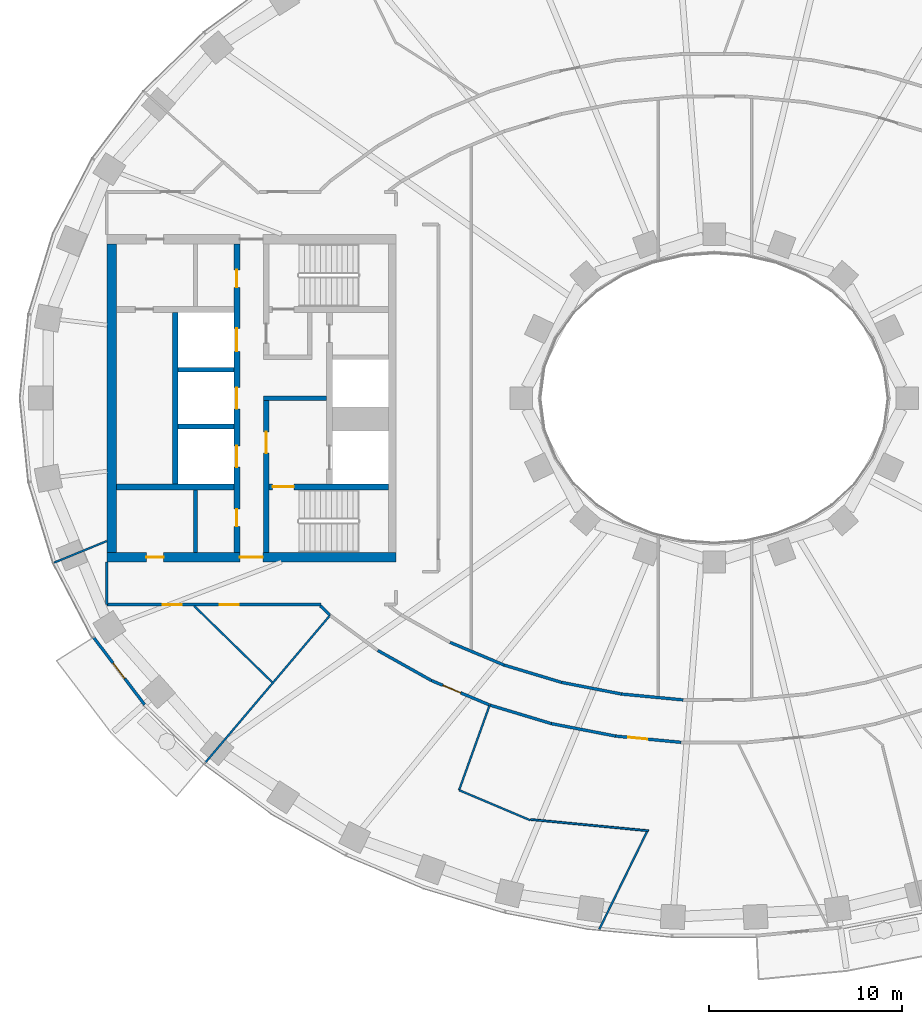
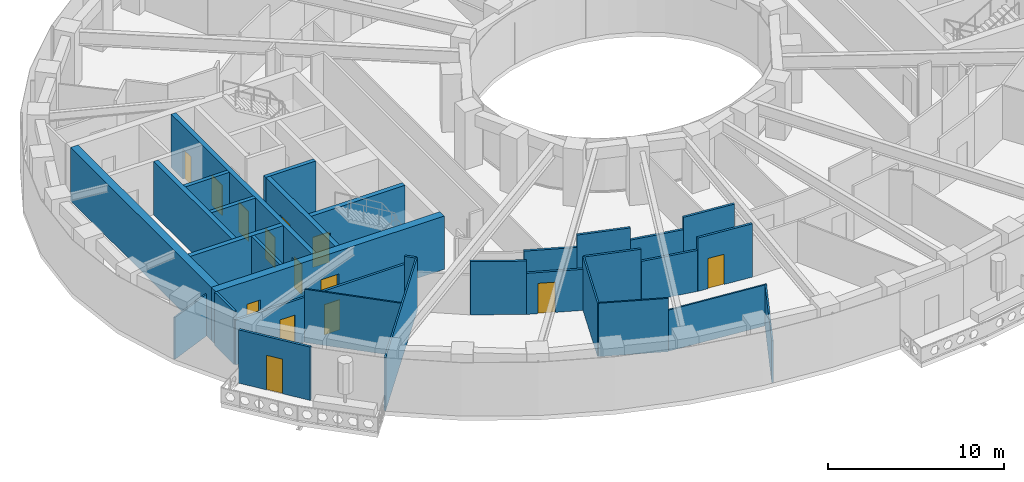
# One storey, part 3 of 17: 31 walls, 14 doors, 14 openings.
"""IFC4 building model written with IfcOpenShell, lengths in metres."""

from ifc_helpers import new_model, si_unit, direction, frame, frame_2d, origin, place, context, subcontext, project, spatial, rectangle, extrude, material, layer, layer_set, type_object, element, fill, save


model = new_model("IFC4")

# Units and contexts
model_context = context("Model", 3, precision=1e-05, world=origin(), true_north=direction((0.0, 1.0)))
body_context = subcontext(model_context, "Body", "Model", "MODEL_VIEW")
ifc_project = project(units=[si_unit("LENGTHUNIT", "METRE"), si_unit("AREAUNIT", "SQUARE_METRE"), si_unit("VOLUMEUNIT", "CUBIC_METRE"), si_unit("PLANEANGLEUNIT", "RADIAN"), si_unit("MASSUNIT", "GRAM", prefix="KILO")], contexts=[model_context])

# Site, building, storey
site_placement = place(None, origin())
site = spatial("IfcSite", under=ifc_project, at=site_placement, CompositionType="ELEMENT")
building_placement = place(site_placement, origin())
building = spatial("IfcBuilding", under=site, at=building_placement, Name="Noorbagh Ring Tower", CompositionType="ELEMENT")
storey_placement = place(building_placement, frame((0.0, 0.0, 120.0)))
storey = spatial("IfcBuildingStorey", under=building, at=storey_placement, Name="L27", CompositionType="ELEMENT", Elevation=120.0)

# Walls
ifc_material_1 = material(Name="Gypsum board on steel studs", Category="steel")
ifc_layer_1 = layer(ifc_material_1, 0.199951171875)
ifc_layer_set_1 = layer_set([ifc_layer_1], Name="Gypsum board on steel studs")
wall_type_1 = type_object("IfcWallType", Name="CORE-PARTITION-200", PredefinedType="PARTITIONING", material=ifc_layer_set_1)
wall_1_placement = place(storey_placement, frame((-26.89990234375, -8.0, 0.0), z_axis=(0.0, 0.0, 1.0), x_axis=(0.0, 1.0, 0.0)))
element("IfcWall", 1, at=wall_1_placement, inside=storey, type_object=wall_type_1, Name="Core partition W", PredefinedType="PARTITIONING", context=body_context, shape_type="SweptSolid", body=[
    extrude(rectangle(XDim=3.25, YDim=0.199951171875, at=frame_2d((1.625, 0.0))), origin(), (0.0, 0.0, 1.0), 3.699951171875),
])
ifc_material_2 = material(Name="Concrete C70/85", Category="concrete")
ifc_layer_2 = layer(ifc_material_2, 0.25)
ifc_layer_set_2 = layer_set([ifc_layer_2], Name="Concrete C70/85")
wall_type_2 = type_object("IfcWallType", Name="CORE-WALL-250-C70-85-EI120", PredefinedType="SHEAR", material=ifc_layer_set_2)
for number, where, z_axis, x_axis, name in (
    (2, (-24.89990234375, -1.47509765625, 0.0), (0.0, 0.0, 1.0), (-1.0, 0.0, 0.0), "Core wall W"),
    (3, (-24.89990234375, 1.47509765625, 0.0), (0.0, 0.0, 1.0), (-1.0, 0.0, 0.0), "Core wall W"),
):
    element("IfcWall", number, at=place(storey_placement, frame(where, z_axis=z_axis, x_axis=x_axis)), inside=storey, type_object=wall_type_2, Name=name, PredefinedType="SHEAR", context=body_context, shape_type="SweptSolid", body=[
        extrude(rectangle(XDim=2.900146484375, YDim=0.25, at=frame_2d((1.4501953125, 0.0))), origin(), (0.0, 0.0, 1.0), 3.699951171875),
    ])
ifc_material_3 = material(Name="Concrete C70/85", Category="concrete")
ifc_layer_3 = layer(ifc_material_3, 0.25)
ifc_layer_set_3 = layer_set([ifc_layer_3], Name="Concrete C70/85")
wall_type_3 = type_object("IfcWallType", Name="CORE-WALL-250-C70-85-EI240", PredefinedType="SHEAR", material=ifc_layer_set_3)
wall_2_placement = place(storey_placement, frame((-20.10009765625, 0.0, 0.0), z_axis=(0.0, 0.0, 1.0), x_axis=(-1.0, 0.0, 0.0)))
element("IfcWall", 4, at=wall_2_placement, inside=storey, type_object=wall_type_3, Name="Core wall W", PredefinedType="SHEAR", context=body_context, shape_type="SweptSolid", body=[
    extrude(rectangle(XDim=3.27978515625, YDim=0.25, at=frame_2d((1.639892578125, 0.0))), origin(), (0.0, 0.0, 1.0), 3.699951171875),
])
ifc_material_4 = material(Name="Concrete C70/85", Category="concrete")
ifc_layer_4 = layer(ifc_material_4, 0.300048828125)
ifc_layer_set_4 = layer_set([ifc_layer_4], Name="Concrete C70/85")
wall_type_4 = type_object("IfcWallType", Name="CORE-WALL-300-C70-85-EI120", PredefinedType="SHEAR", material=ifc_layer_set_4)
wall_3_placement = place(storey_placement, frame((-27.949951171875, -4.449951171875, 0.0), z_axis=(0.0, 0.0, 1.0), x_axis=(0.0, 1.0, 0.0)))
element("IfcWall", 5, at=wall_3_placement, inside=storey, type_object=wall_type_4, Name="Core wall W", PredefinedType="SHEAR", context=body_context, shape_type="SweptSolid", body=[
    extrude(rectangle(XDim=8.89990234375, YDim=0.300048828125, at=frame_2d((4.449951171875, 0.0))), origin(), (0.0, 0.0, 1.0), 3.699951171875),
])

# Wall, openings, doors
wall_4_placement = place(storey_placement, frame((-24.75, -8.0, 0.0), z_axis=(0.0, 0.0, 1.0), x_axis=(0.0, 1.0, 0.0)))
wall_4 = element("IfcWall", 6, at=wall_4_placement, inside=storey, type_object=wall_type_4, Name="Core wall W", PredefinedType="SHEAR", context=body_context, shape_type="SweptSolid", body=[
    extrude(rectangle(XDim=16.0, YDim=0.300048828125, at=frame_2d((8.0, 0.0))), origin(), (0.0, 0.0, 1.0), 3.699951171875),
])
opening_1_placement = place(wall_4_placement, frame((4.425048828125, 0.0, 0.0)))
opening_1 = element("IfcOpeningElement", 7, at=opening_1_placement, cuts=wall_4, Name="Opening L27-CW02", PredefinedType="OPENING", context=body_context, shape_type="SweptSolid", body=[
    extrude(rectangle(XDim=1.10009765625, YDim=2.10009765625, at=frame_2d((0.550048828125, 1.050048828125))), frame((0.0, 0.16015625, 0.0), z_axis=(0.0, -1.0, 0.0), x_axis=(1.0, 0.0, 0.0)), (0.0, 0.0, 1.0), 0.320068359375),
])
opening_2_placement = place(wall_4_placement, frame((7.449951171875, 0.0, 0.0)))
opening_2 = element("IfcOpeningElement", 8, at=opening_2_placement, cuts=wall_4, Name="Opening L27-CW03", PredefinedType="OPENING", context=body_context, shape_type="SweptSolid", body=[
    extrude(rectangle(XDim=1.10009765625, YDim=2.10009765625, at=frame_2d((0.550048828125, 1.050048828125))), frame((0.0, 0.16015625, 0.0), z_axis=(0.0, -1.0, 0.0), x_axis=(1.0, 0.0, 0.0)), (0.0, 0.0, 1.0), 0.320068359375),
])
opening_3_placement = place(wall_4_placement, frame((10.425048828125, 0.0, 0.0)))
opening_3 = element("IfcOpeningElement", 9, at=opening_3_placement, cuts=wall_4, Name="Opening L27-CW04", PredefinedType="OPENING", context=body_context, shape_type="SweptSolid", body=[
    extrude(rectangle(XDim=1.199951171875, YDim=2.10009765625, at=frame_2d((0.60009765625, 1.050048828125))), frame((0.0, 0.16015625, 0.0), z_axis=(0.0, -1.0, 0.0), x_axis=(1.0, 0.0, 0.0)), (0.0, 0.0, 1.0), 0.320068359375),
])
opening_4_placement = place(wall_4_placement, frame((13.75, 0.0, 0.0)))
opening_4 = element("IfcOpeningElement", 10, at=opening_4_placement, cuts=wall_4, Name="Opening L27-CW12", PredefinedType="OPENING", context=body_context, shape_type="SweptSolid", body=[
    extrude(rectangle(XDim=0.89990234375, YDim=2.10009765625, at=frame_2d((0.449951171875, 1.050048828125))), frame((0.0, 0.16015625, 0.0), z_axis=(0.0, -1.0, 0.0), x_axis=(1.0, 0.0, 0.0)), (0.0, 0.0, 1.0), 0.320068359375),
])
opening_5_placement = place(wall_4_placement, frame((1.35009765625, 0.0, 0.0)))
opening_5 = element("IfcOpeningElement", 11, at=opening_5_placement, cuts=wall_4, Name="Opening L27-CW14", PredefinedType="OPENING", context=body_context, shape_type="SweptSolid", body=[
    extrude(rectangle(XDim=0.89990234375, YDim=2.10009765625, at=frame_2d((0.449951171875, 1.050048828125))), frame((0.0, 0.16015625, 0.0), z_axis=(0.0, -1.0, 0.0), x_axis=(1.0, 0.0, 0.0)), (0.0, 0.0, 1.0), 0.320068359375),
])
ifc_material_5 = material(Name="Steel door leaf", Category="steel")
door_type_1 = type_object("IfcDoorType", Name="CORE-DOOR-DROOM", OperationType="SINGLE_SWING_LEFT", PredefinedType="DOOR", material=ifc_material_5)
door_1_placement = place(opening_4_placement, origin())
door_1 = element("IfcDoor", 12, at=door_1_placement, inside=storey, type_object=door_type_1, Name="Core room door L27-CW12", OperationType="SINGLE_SWING_RIGHT", OverallHeight=2.10009765625, OverallWidth=0.89990234375, PredefinedType="DOOR", context=body_context, shape_type="SweptSolid", body=[
    extrude(rectangle(XDim=0.89990234375, YDim=2.10009765625, at=frame_2d((0.449951171875, 1.050048828125))), frame((0.0, 0.02490234375, 0.0), z_axis=(0.0, -1.0, 0.0), x_axis=(1.0, 0.0, 0.0)), (0.0, 0.0, 1.0), 0.050048828125),
])
fill(opening_4, door_1)
door_2_placement = place(opening_5_placement, origin())
door_2 = element("IfcDoor", 13, at=door_2_placement, inside=storey, type_object=door_type_1, Name="Core room door L27-CW14", OperationType="SINGLE_SWING_LEFT", OverallHeight=2.10009765625, OverallWidth=0.89990234375, PredefinedType="DOOR", context=body_context, shape_type="SweptSolid", body=[
    extrude(rectangle(XDim=0.89990234375, YDim=2.10009765625, at=frame_2d((0.449951171875, 1.050048828125))), frame((0.0, 0.02490234375, 0.0), z_axis=(0.0, -1.0, 0.0), x_axis=(1.0, 0.0, 0.0)), (0.0, 0.0, 1.0), 0.050048828125),
])
fill(opening_5, door_2)
ifc_material_6 = material(Name="Steel door leaf", Category="steel")
door_type_2 = type_object("IfcDoorType", Name="CORE-DOOR-LD", OperationType="DOUBLE_DOOR_SLIDING", PredefinedType="DOOR", material=ifc_material_6)
door_3_placement = place(opening_1_placement, origin())
door_3 = element("IfcDoor", 14, at=door_3_placement, inside=storey, type_object=door_type_2, Name="Landing door LR1 L27-CW02", OperationType="DOUBLE_DOOR_SLIDING", OverallHeight=2.10009765625, OverallWidth=1.10009765625, PredefinedType="DOOR", context=body_context, shape_type="SweptSolid", body=[
    extrude(rectangle(XDim=1.10009765625, YDim=2.10009765625, at=frame_2d((0.550048828125, 1.050048828125))), frame((0.0, 0.02490234375, 0.0), z_axis=(0.0, -1.0, 0.0), x_axis=(1.0, 0.0, 0.0)), (0.0, 0.0, 1.0), 0.050048828125),
])
fill(opening_1, door_3)
door_4_placement = place(opening_2_placement, origin())
door_4 = element("IfcDoor", 15, at=door_4_placement, inside=storey, type_object=door_type_2, Name="Landing door LR2 L27-CW03", OperationType="DOUBLE_DOOR_SLIDING", OverallHeight=2.10009765625, OverallWidth=1.10009765625, PredefinedType="DOOR", context=body_context, shape_type="SweptSolid", body=[
    extrude(rectangle(XDim=1.10009765625, YDim=2.10009765625, at=frame_2d((0.550048828125, 1.050048828125))), frame((0.0, 0.02490234375, 0.0), z_axis=(0.0, -1.0, 0.0), x_axis=(1.0, 0.0, 0.0)), (0.0, 0.0, 1.0), 0.050048828125),
])
fill(opening_2, door_4)
ifc_material_7 = material(Name="Steel door leaf", Category="steel")
door_type_3 = type_object("IfcDoorType", Name="CORE-DOOR-LDW", OperationType="DOUBLE_DOOR_SLIDING", PredefinedType="DOOR", material=ifc_material_7)
door_5_placement = place(opening_3_placement, origin())
door_5 = element("IfcDoor", 16, at=door_5_placement, inside=storey, type_object=door_type_3, Name="Landing door SV1 L27-CW04", OperationType="DOUBLE_DOOR_SLIDING", OverallHeight=2.10009765625, OverallWidth=1.199951171875, PredefinedType="DOOR", context=body_context, shape_type="SweptSolid", body=[
    extrude(rectangle(XDim=1.199951171875, YDim=2.10009765625, at=frame_2d((0.60009765625, 1.050048828125))), frame((0.0, 0.02490234375, 0.0), z_axis=(0.0, -1.0, 0.0), x_axis=(1.0, 0.0, 0.0)), (0.0, 0.0, 1.0), 0.050048828125),
])
fill(opening_3, door_5)

# Wall
ifc_material_8 = material(Name="Concrete C70/85", Category="concrete")
ifc_layer_5 = layer(ifc_material_8, 0.300048828125)
ifc_layer_set_5 = layer_set([ifc_layer_5], Name="Concrete C70/85")
wall_type_5 = type_object("IfcWallType", Name="CORE-WALL-300-C70-85-EI240", PredefinedType="SHEAR", material=ifc_layer_set_5)
wall_5_placement = place(storey_placement, frame((-24.89990234375, -4.60009765625, 0.0), z_axis=(0.0, 0.0, 1.0), x_axis=(-1.0, 0.0, 0.0)))
element("IfcWall", 17, at=wall_5_placement, inside=storey, type_object=wall_type_5, Name="Core wall W", PredefinedType="SHEAR", context=body_context, shape_type="SweptSolid", body=[
    extrude(rectangle(XDim=6.10009765625, YDim=0.300048828125, at=frame_2d((3.050048828125, 0.0))), origin(), (0.0, 0.0, 1.0), 3.699951171875),
])

# Wall, opening, door
wall_6_placement = place(storey_placement, frame((-23.22998046875, -8.0, 0.0), z_axis=(0.0, 0.0, 1.0), x_axis=(0.0, 1.0, 0.0)))
wall_6 = element("IfcWall", 18, at=wall_6_placement, inside=storey, type_object=wall_type_5, Name="Core wall W", PredefinedType="SHEAR", context=body_context, shape_type="SweptSolid", body=[
    extrude(rectangle(XDim=7.875, YDim=0.300048828125, at=frame_2d((3.9375, 0.0))), origin(), (0.0, 0.0, 1.0), 3.699951171875),
])
opening_6_placement = place(wall_6_placement, frame((5.14990234375, 0.0, 0.0)))
opening_6 = element("IfcOpeningElement", 19, at=opening_6_placement, cuts=wall_6, Name="Opening L27-CW07", PredefinedType="OPENING", context=body_context, shape_type="SweptSolid", body=[
    extrude(rectangle(XDim=1.10009765625, YDim=2.10009765625, at=frame_2d((0.550048828125, 1.050048828125))), frame((0.0, 0.16015625, 0.0), z_axis=(0.0, -1.0, 0.0), x_axis=(1.0, 0.0, 0.0)), (0.0, 0.0, 1.0), 0.320068359375),
])
ifc_material_9 = material(Name="Steel door leaf", Category="steel")
door_type_4 = type_object("IfcDoorType", Name="CORE-DOOR-DFF", OperationType="SINGLE_SWING_LEFT", PredefinedType="DOOR", material=ifc_material_9)
door_6_placement = place(opening_6_placement, origin())
door_6 = element("IfcDoor", 20, at=door_6_placement, inside=storey, type_object=door_type_4, Name="Firefighting lobby door L27-CW07", OperationType="SINGLE_SWING_LEFT", OverallHeight=2.10009765625, OverallWidth=1.10009765625, PredefinedType="DOOR", context=body_context, shape_type="SweptSolid", body=[
    extrude(rectangle(XDim=1.10009765625, YDim=2.10009765625, at=frame_2d((0.550048828125, 1.050048828125))), frame((0.0, 0.02490234375, 0.0), z_axis=(0.0, -1.0, 0.0), x_axis=(1.0, 0.0, 0.0)), (0.0, 0.0, 1.0), 0.050048828125),
])
fill(opening_6, door_6)

wall_7_placement = place(storey_placement, frame((-16.89990234375, -4.60009765625, 0.0), z_axis=(0.0, 0.0, 1.0), x_axis=(-1.0, 0.0, 0.0)))
wall_7 = element("IfcWall", 21, at=wall_7_placement, inside=storey, type_object=wall_type_5, Name="Core wall W", PredefinedType="SHEAR", context=body_context, shape_type="SweptSolid", body=[
    extrude(rectangle(XDim=6.18017578125, YDim=0.300048828125, at=frame_2d((3.090087890625, 0.0))), origin(), (0.0, 0.0, 1.0), 3.699951171875),
])
opening_7_placement = place(wall_7_placement, frame((4.89990234375, 0.0, 0.0)))
opening_7 = element("IfcOpeningElement", 22, at=opening_7_placement, cuts=wall_7, Name="Opening L27-CW06", PredefinedType="OPENING", context=body_context, shape_type="SweptSolid", body=[
    extrude(rectangle(XDim=1.10009765625, YDim=2.10009765625, at=frame_2d((0.550048828125, 1.050048828125))), frame((0.0, 0.16015625, 0.0), z_axis=(0.0, -1.0, 0.0), x_axis=(1.0, 0.0, 0.0)), (0.0, 0.0, 1.0), 0.320068359375),
])
ifc_material_10 = material(Name="Steel door leaf", Category="steel")
door_type_5 = type_object("IfcDoorType", Name="CORE-DOOR-DSTAIR", OperationType="SINGLE_SWING_LEFT", PredefinedType="DOOR", material=ifc_material_10)
door_7_placement = place(opening_7_placement, origin())
door_7 = element("IfcDoor", 23, at=door_7_placement, inside=storey, type_object=door_type_5, Name="Stair door ST2 L27-CW06", OperationType="SINGLE_SWING_LEFT", OverallHeight=2.10009765625, OverallWidth=1.10009765625, PredefinedType="DOOR", context=body_context, shape_type="SweptSolid", body=[
    extrude(rectangle(XDim=1.10009765625, YDim=2.10009765625, at=frame_2d((0.550048828125, 1.050048828125))), frame((0.0, 0.02490234375, 0.0), z_axis=(0.0, -1.0, 0.0), x_axis=(1.0, 0.0, 0.0)), (0.0, 0.0, 1.0), 0.050048828125),
])
fill(opening_7, door_7)

# Wall, openings, doors
ifc_material_11 = material(Name="Concrete C70/85", Category="concrete")
ifc_layer_6 = layer(ifc_material_11, 0.5)
ifc_layer_set_6 = layer_set([ifc_layer_6], Name="Concrete C70/85")
wall_type_6 = type_object("IfcWallType", Name="CORE-WALL-500-C70-85-EI240", PredefinedType="SHEAR", material=ifc_layer_set_6)
wall_8_placement = place(storey_placement, frame((-16.5, -8.25, 0.0), z_axis=(0.0, 0.0, 1.0), x_axis=(-1.0, 0.0, 0.0)))
wall_8 = element("IfcWall", 24, at=wall_8_placement, inside=storey, type_object=wall_type_6, Name="Core wall W", PredefinedType="SHEAR", context=body_context, shape_type="SweptSolid", body=[
    extrude(rectangle(XDim=15.0, YDim=0.5, at=frame_2d((7.5, 0.0))), origin(), (0.0, 0.0, 1.0), 3.699951171875),
])
opening_8_placement = place(wall_8_placement, frame((6.89990234375, 0.0, 0.0)))
opening_8 = element("IfcOpeningElement", 25, at=opening_8_placement, cuts=wall_8, Name="Opening L27-CW10", PredefinedType="OPENING", context=body_context, shape_type="SweptSolid", body=[
    extrude(rectangle(XDim=1.199951171875, YDim=2.10009765625, at=frame_2d((0.60009765625, 1.050048828125))), frame((0.0, 0.260009765625, 0.0), z_axis=(0.0, -1.0, 0.0), x_axis=(1.0, 0.0, 0.0)), (0.0, 0.0, 1.0), 0.52001953125),
])
opening_9_placement = place(wall_8_placement, frame((12.050048828125, 0.0, 0.0)))
opening_9 = element("IfcOpeningElement", 26, at=opening_9_placement, cuts=wall_8, Name="Opening L27-CW15", PredefinedType="OPENING", context=body_context, shape_type="SweptSolid", body=[
    extrude(rectangle(XDim=0.89990234375, YDim=2.10009765625, at=frame_2d((0.449951171875, 1.050048828125))), frame((0.0, 0.260009765625, 0.0), z_axis=(0.0, -1.0, 0.0), x_axis=(1.0, 0.0, 0.0)), (0.0, 0.0, 1.0), 0.52001953125),
])
door_8_placement = place(opening_9_placement, origin())
door_8 = element("IfcDoor", 27, at=door_8_placement, inside=storey, type_object=door_type_1, Name="Core room door L27-CW15", OperationType="SINGLE_SWING_LEFT", OverallHeight=2.10009765625, OverallWidth=0.89990234375, PredefinedType="DOOR", context=body_context, shape_type="SweptSolid", body=[
    extrude(rectangle(XDim=0.89990234375, YDim=2.10009765625, at=frame_2d((0.449951171875, 1.050048828125))), frame((0.0, 0.02490234375, 0.0), z_axis=(0.0, -1.0, 0.0), x_axis=(1.0, 0.0, 0.0)), (0.0, 0.0, 1.0), 0.050048828125),
])
fill(opening_9, door_8)
ifc_material_12 = material(Name="Steel door leaf", Category="steel")
door_type_6 = type_object("IfcDoorType", Name="CORE-DOOR-PORT", OperationType="DOUBLE_DOOR_DOUBLE_SWING", PredefinedType="DOOR", material=ifc_material_12)
door_9_placement = place(opening_8_placement, origin())
door_9 = element("IfcDoor", 28, at=door_9_placement, inside=storey, type_object=door_type_6, Name="Core entrance door L27-CW10", OperationType="DOUBLE_DOOR_DOUBLE_SWING", OverallHeight=2.10009765625, OverallWidth=1.199951171875, PredefinedType="DOOR", context=body_context, shape_type="SweptSolid", body=[
    extrude(rectangle(XDim=1.199951171875, YDim=2.10009765625, at=frame_2d((0.60009765625, 1.050048828125))), frame((0.0, 0.02490234375, 0.0), z_axis=(0.0, -1.0, 0.0), x_axis=(1.0, 0.0, 0.0)), (0.0, 0.0, 1.0), 0.050048828125),
])
fill(opening_8, door_9)

# Walls
wall_9_placement = place(storey_placement, frame((-31.25, -8.0, 0.0), z_axis=(0.0, 0.0, 1.0), x_axis=(0.0, 1.0, 0.0)))
element("IfcWall", 29, at=wall_9_placement, inside=storey, type_object=wall_type_6, Name="Core wall W", PredefinedType="SHEAR", context=body_context, shape_type="SweptSolid", body=[
    extrude(rectangle(XDim=16.0, YDim=0.5, at=frame_2d((8.0, 0.0))), origin(), (0.0, 0.0, 1.0), 3.699951171875),
])
ifc_material_13 = material(Name="Gypsum board on steel studs", Category="steel")
ifc_layer_7 = layer(ifc_material_13, 0.14990234375)
ifc_layer_set_7 = layer_set([ifc_layer_7], Name="Gypsum board on steel studs")
wall_type_7 = type_object("IfcWallType", Name="CORRIDOR PARTITION 150 EI 30", PredefinedType="PARTITIONING", material=ifc_layer_set_7)
wall_10_placement = place(storey_placement, frame((-31.5, -10.699951171875, 0.0), z_axis=(0.0, 0.0, 1.0), x_axis=(0.0, 1.0, 0.0)))
element("IfcWall", 30, at=wall_10_placement, inside=storey, type_object=wall_type_7, Name="L27/wall/P02", PredefinedType="PARTITIONING", context=body_context, shape_type="SweptSolid", body=[
    extrude(rectangle(XDim=2.199951171875, YDim=0.14990234375, at=frame_2d((1.10009765625, 0.0))), origin(), (0.0, 0.0, 1.0), 3.699951171875),
])

# Wall, openings, doors
wall_11_placement = place(storey_placement, frame((-31.5, -10.699951171875, 0.0), z_axis=(0.0, 0.0, 1.0), x_axis=(1.0, 0.0, 0.0)))
wall_11 = element("IfcWall", 31, at=wall_11_placement, inside=storey, type_object=wall_type_7, Name="L27/wall/P03", PredefinedType="PARTITIONING", context=body_context, shape_type="SweptSolid", body=[
    extrude(rectangle(XDim=11.113037109375, YDim=0.14990234375, at=frame_2d((5.556640625, 0.0))), origin(), (0.0, 0.0, 1.0), 3.10009765625),
])
opening_10_placement = place(wall_11_placement, frame((2.89990234375, 0.0, 0.0)))
opening_10 = element("IfcOpeningElement", 32, at=opening_10_placement, cuts=wall_11, Name="Opening D1", PredefinedType="OPENING", context=body_context, shape_type="SweptSolid", body=[
    extrude(rectangle(XDim=1.0, YDim=2.10009765625, at=frame_2d((0.5, 1.050048828125))), frame((0.0, 0.0849609375, 0.0), z_axis=(0.0, -1.0, 0.0), x_axis=(1.0, 0.0, 0.0)), (0.0, 0.0, 1.0), 0.169921875),
])
opening_11_placement = place(wall_11_placement, frame((5.85595703125, 0.0, 0.0)))
opening_11 = element("IfcOpeningElement", 33, at=opening_11_placement, cuts=wall_11, Name="Opening D1", PredefinedType="OPENING", context=body_context, shape_type="SweptSolid", body=[
    extrude(rectangle(XDim=1.0, YDim=2.10009765625, at=frame_2d((0.5, 1.050048828125))), frame((0.0, 0.0849609375, 0.0), z_axis=(0.0, -1.0, 0.0), x_axis=(1.0, 0.0, 0.0)), (0.0, 0.0, 1.0), 0.169921875),
])
ifc_material_14 = material(Name="Timber, painted", Category="wood")
door_type_7 = type_object("IfcDoorType", Name="DOOR 1000 X 2100 FD30", OperationType="SINGLE_SWING_LEFT", PredefinedType="DOOR", material=ifc_material_14)
door_10_placement = place(opening_10_placement, origin())
door_10 = element("IfcDoor", 34, at=door_10_placement, inside=storey, type_object=door_type_7, Name="L27-D06", OperationType="SINGLE_SWING_RIGHT", OverallHeight=2.10009765625, OverallWidth=1.0, PredefinedType="DOOR", context=body_context, shape_type="SweptSolid", body=[
    extrude(rectangle(XDim=1.0, YDim=2.10009765625, at=frame_2d((0.5, 1.050048828125))), frame((0.0, 0.02490234375, 0.0), z_axis=(0.0, -1.0, 0.0), x_axis=(1.0, 0.0, 0.0)), (0.0, 0.0, 1.0), 0.050048828125),
])
fill(opening_10, door_10)
door_11_placement = place(opening_11_placement, origin())
door_11 = element("IfcDoor", 35, at=door_11_placement, inside=storey, type_object=door_type_7, Name="L27-D07", OperationType="SINGLE_SWING_LEFT", OverallHeight=2.10009765625, OverallWidth=1.0, PredefinedType="DOOR", context=body_context, shape_type="SweptSolid", body=[
    extrude(rectangle(XDim=1.0, YDim=2.10009765625, at=frame_2d((0.5, 1.050048828125))), frame((0.0, 0.02490234375, 0.0), z_axis=(0.0, -1.0, 0.0), x_axis=(1.0, 0.0, 0.0)), (0.0, 0.0, 1.0), 0.050048828125),
])
fill(opening_11, door_11)

# Walls
wall_12_placement = place(storey_placement, frame((-20.41796875, -10.77490234375, 0.0), z_axis=(0.0, 0.0, 1.0), x_axis=(0.717145300924, -0.69692368116, 0.0)))
element("IfcWall", 36, at=wall_12_placement, inside=storey, type_object=wall_type_7, Name="L27/wall/P12", PredefinedType="PARTITIONING", context=body_context, shape_type="SweptSolid", body=[
    extrude(rectangle(XDim=0.676025390625, YDim=0.14990234375, at=frame_2d((0.337890625, 0.0))), origin(), (0.0, 0.0, 1.0), 3.699951171875),
])
wall_13_placement = place(storey_placement, frame((-17.445068359375, -13.08203125, 0.0), z_axis=(0.0, 0.0, 1.0), x_axis=(0.872072095629, -0.489377420837, 0.0)))
element("IfcWall", 37, at=wall_13_placement, inside=storey, type_object=wall_type_7, Name="L27/wall/P17", PredefinedType="PARTITIONING", context=body_context, shape_type="SweptSolid", body=[
    extrude(rectangle(XDim=3.187744140625, YDim=0.14990234375, at=frame_2d((1.59375, 0.0))), origin(), (0.0, 0.0, 1.0), 3.699951171875),
])

# Wall, opening, door
wall_14_placement = place(storey_placement, frame((-14.6650390625, -14.64208984375, 0.0), z_axis=(0.0, 0.0, 1.0), x_axis=(0.921850993012, -0.387544509293, 0.0)))
wall_14 = element("IfcWall", 38, at=wall_14_placement, inside=storey, type_object=wall_type_7, Name="L27/wall/P30", PredefinedType="PARTITIONING", context=body_context, shape_type="SweptSolid", body=[
    extrude(rectangle(XDim=3.2587890625, YDim=0.14990234375, at=frame_2d((1.62939453125, 0.0))), origin(), (0.0, 0.0, 1.0), 2.85009765625),
])
opening_12_placement = place(wall_14_placement, frame((0.64990234375, 0.0, 0.0)))
opening_12 = element("IfcOpeningElement", 39, at=opening_12_placement, cuts=wall_14, Name="Opening D1", PredefinedType="OPENING", context=body_context, shape_type="SweptSolid", body=[
    extrude(rectangle(XDim=1.0, YDim=2.10009765625, at=frame_2d((0.5, 1.050048828125))), frame((0.0, 0.0849609375, 0.0), z_axis=(0.0, -1.0, 0.0), x_axis=(1.0, 0.0, 0.0)), (0.0, 0.0, 1.0), 0.169921875),
])
door_12_placement = place(opening_12_placement, origin())
door_12 = element("IfcDoor", 40, at=door_12_placement, inside=storey, type_object=door_type_7, Name="L27-D09", OperationType="SINGLE_SWING_LEFT", OverallHeight=2.10009765625, OverallWidth=1.0, PredefinedType="DOOR", context=body_context, shape_type="SweptSolid", body=[
    extrude(rectangle(XDim=1.0, YDim=2.10009765625, at=frame_2d((0.5, 1.050048828125))), frame((0.0, 0.02490234375, 0.0), z_axis=(0.0, -1.0, 0.0), x_axis=(1.0, 0.0, 0.0)), (0.0, 0.0, 1.0), 0.050048828125),
])
fill(opening_12, door_12)

# Walls
wall_15_placement = place(storey_placement, frame((-13.697021484375, -12.662109375, 0.0), z_axis=(0.0, 0.0, 1.0), x_axis=(0.921751821358, -0.387780324183, 0.0)))
element("IfcWall", 41, at=wall_15_placement, inside=storey, type_object=wall_type_7, Name="L27/wall/P33", PredefinedType="PARTITIONING", context=body_context, shape_type="SweptSolid", body=[
    extrude(rectangle(XDim=3.037841796875, YDim=0.14990234375, at=frame_2d((1.51904296875, 0.0))), origin(), (0.0, 0.0, 1.0), 2.85009765625),
])
wall_16_placement = place(storey_placement, frame((-11.64306640625, -15.9130859375, 0.0), z_axis=(0.0, 0.0, 1.0), x_axis=(0.957584891346, -0.288151307243, 0.0)))
element("IfcWall", 42, at=wall_16_placement, inside=storey, type_object=wall_type_7, Name="L27/wall/P38", PredefinedType="PARTITIONING", context=body_context, shape_type="SweptSolid", body=[
    extrude(rectangle(XDim=3.344970703125, YDim=0.14990234375, at=frame_2d((1.67236328125, 0.0))), origin(), (0.0, 0.0, 1.0), 3.699951171875),
])
wall_17_placement = place(storey_placement, frame((-10.89697265625, -13.840087890625, 0.0), z_axis=(0.0, 0.0, 1.0), x_axis=(0.957606118849, -0.28808075455, 0.0)))
element("IfcWall", 43, at=wall_17_placement, inside=storey, type_object=wall_type_7, Name="L27/wall/P40", PredefinedType="PARTITIONING", context=body_context, shape_type="SweptSolid", body=[
    extrude(rectangle(XDim=3.116943359375, YDim=0.14990234375, at=frame_2d((1.55859375, 0.0))), origin(), (0.0, 0.0, 1.0), 3.699951171875),
])
wall_18_placement = place(storey_placement, frame((-8.43994140625, -16.876953125, 0.0), z_axis=(0.0, 0.0, 1.0), x_axis=(0.981665220565, -0.190613207134, 0.0)))
element("IfcWall", 44, at=wall_18_placement, inside=storey, type_object=wall_type_7, Name="L27/wall/P43", PredefinedType="PARTITIONING", context=body_context, shape_type="SweptSolid", body=[
    extrude(rectangle(XDim=3.38916015625, YDim=0.14990234375, at=frame_2d((1.694580078125, 0.0))), origin(), (0.0, 0.0, 1.0), 2.85009765625),
])
wall_19_placement = place(storey_placement, frame((-7.912109375, -14.738037109375, 0.0), z_axis=(0.0, 0.0, 1.0), x_axis=(0.981588545092, -0.191007665145, 0.0)))
element("IfcWall", 45, at=wall_19_placement, inside=storey, type_object=wall_type_7, Name="L27/wall/P45", PredefinedType="PARTITIONING", context=body_context, shape_type="SweptSolid", body=[
    extrude(rectangle(XDim=3.17236328125, YDim=0.14990234375, at=frame_2d((1.586181640625, 0.0))), origin(), (0.0, 0.0, 1.0), 2.85009765625),
])

# Wall, opening, door
wall_20_placement = place(storey_placement, frame((-5.113037109375, -17.52294921875, 0.0), z_axis=(0.0, 0.0, 1.0), x_axis=(0.995466844572, -0.095109207532, 0.0)))
wall_20 = element("IfcWall", 46, at=wall_20_placement, inside=storey, type_object=wall_type_7, Name="L27/wall/P48", PredefinedType="PARTITIONING", context=body_context, shape_type="SweptSolid", body=[
    extrude(rectangle(XDim=3.41650390625, YDim=0.14990234375, at=frame_2d((1.708251953125, 0.0))), origin(), (0.0, 0.0, 1.0), 3.699951171875),
])
opening_13_placement = place(wall_20_placement, frame((0.64990234375, 0.0, 0.0)))
opening_13 = element("IfcOpeningElement", 47, at=opening_13_placement, cuts=wall_20, Name="Opening D1", PredefinedType="OPENING", context=body_context, shape_type="SweptSolid", body=[
    extrude(rectangle(XDim=1.0, YDim=2.10009765625, at=frame_2d((0.5, 1.050048828125))), frame((0.0, 0.0849609375, 0.0), z_axis=(0.0, -1.0, 0.0), x_axis=(1.0, 0.0, 0.0)), (0.0, 0.0, 1.0), 0.169921875),
])
door_13_placement = place(opening_13_placement, origin())
door_13 = element("IfcDoor", 48, at=door_13_placement, inside=storey, type_object=door_type_7, Name="L27-D11", OperationType="SINGLE_SWING_LEFT", OverallHeight=2.10009765625, OverallWidth=1.0, PredefinedType="DOOR", context=body_context, shape_type="SweptSolid", body=[
    extrude(rectangle(XDim=1.0, YDim=2.10009765625, at=frame_2d((0.5, 1.050048828125))), frame((0.0, 0.02490234375, 0.0), z_axis=(0.0, -1.0, 0.0), x_axis=(1.0, 0.0, 0.0)), (0.0, 0.0, 1.0), 0.050048828125),
])
fill(opening_13, door_13)

# Wall
wall_21_placement = place(storey_placement, frame((-4.798095703125, -15.343994140625, 0.0), z_axis=(0.0, 0.0, 1.0), x_axis=(0.995491705426, -0.09484863957, 0.0)))
element("IfcWall", 49, at=wall_21_placement, inside=storey, type_object=wall_type_7, Name="L27/wall/P50", PredefinedType="PARTITIONING", context=body_context, shape_type="SweptSolid", body=[
    extrude(rectangle(XDim=3.20458984375, YDim=0.14990234375, at=frame_2d((1.602294921875, 0.0))), origin(), (0.0, 0.0, 1.0), 3.699951171875),
])

# Wall, opening, door
ifc_material_15 = material(Name="Insulated aluminium clad panel", Category="aluminium")
ifc_layer_8 = layer(ifc_material_15, 0.14990234375)
ifc_layer_set_8 = layer_set([ifc_layer_8], Name="Insulated aluminium clad panel")
wall_type_8 = type_object("IfcWallType", Name="ENV-WALL-DOOR", PredefinedType="STANDARD", material=ifc_layer_set_8)
wall_22_placement = place(storey_placement, frame((-32.20751953125, -12.37353515625, 0.0), z_axis=(0.0, 0.0, 1.0), x_axis=(0.604045763106, -0.796949632081, 0.0)))
wall_22 = element("IfcWall", 50, at=wall_22_placement, inside=storey, type_object=wall_type_8, Name="Balcony door wall chord 27", PredefinedType="STANDARD", context=body_context, shape_type="SweptSolid", body=[
    extrude(rectangle(XDim=4.42333984375, YDim=0.14990234375, at=frame_2d((2.211669921875, 0.0))), origin(), (0.0, 0.0, 1.0), 3.699951171875),
])
opening_14_placement = place(wall_22_placement, frame((1.711669921875, 0.0, 0.0)))
opening_14 = element("IfcOpeningElement", 51, at=opening_14_placement, cuts=wall_22, Name="Opening D-BL", PredefinedType="OPENING", context=body_context, shape_type="SweptSolid", body=[
    extrude(rectangle(XDim=1.0, YDim=2.39990234375, at=frame_2d((0.5, 1.199951171875))), frame((0.0, 0.0849609375, 0.0), z_axis=(0.0, -1.0, 0.0), x_axis=(1.0, 0.0, 0.0)), (0.0, 0.0, 1.0), 0.169921875),
])
ifc_material_16 = material(Name="Aluminium and glass", Category="aluminium")
door_type_8 = type_object("IfcDoorType", Name="ENV-DOOR-BALCONY", OperationType="SINGLE_SWING_LEFT", PredefinedType="DOOR", material=ifc_material_16)
door_14_placement = place(opening_14_placement, origin())
door_14 = element("IfcDoor", 52, at=door_14_placement, inside=storey, type_object=door_type_8, Name="Balcony door chord 27", OperationType="SINGLE_SWING_RIGHT", OverallHeight=2.39990234375, OverallWidth=1.0, PredefinedType="DOOR", context=body_context, shape_type="SweptSolid", body=[
    extrude(rectangle(XDim=1.0, YDim=2.39990234375, at=frame_2d((0.5, 1.199951171875))), frame((0.0, 0.02490234375, 0.0), z_axis=(0.0, -1.0, 0.0), x_axis=(1.0, 0.0, 0.0)), (0.0, 0.0, 1.0), 0.050048828125),
])
fill(opening_14, door_14)

# Walls
ifc_material_17 = material(Name="Gypsum board on steel studs", Category="steel")
ifc_layer_9 = layer(ifc_material_17, 0.10009765625)
ifc_layer_set_9 = layer_set([ifc_layer_9], Name="Gypsum board on steel studs")
wall_type_9 = type_object("IfcWallType", Name="PARTITION 100 GYPSUM", PredefinedType="PARTITIONING", material=ifc_layer_set_9)
wall_23_placement = place(storey_placement, frame((-34.23388671875, -8.530029296875, 0.0), z_axis=(0.0, 0.0, 1.0), x_axis=(0.925344112436, 0.379128307542, 0.0)))
element("IfcWall", 53, at=wall_23_placement, inside=storey, type_object=wall_type_9, Name="L27/wall/P01", PredefinedType="PARTITIONING", context=body_context, shape_type="SweptSolid", body=[
    extrude(rectangle(XDim=2.954345703125, YDim=0.10009765625, at=frame_2d((1.47705078125, 0.0))), origin(), (0.0, 0.0, 1.0), 2.89990234375),
])
wall_24_placement = place(storey_placement, frame((-26.965087890625, -10.778076171875, 0.0), z_axis=(0.0, 0.0, 1.0), x_axis=(0.715118482903, -0.699003258512, 0.0)))
element("IfcWall", 54, at=wall_24_placement, inside=storey, type_object=wall_type_9, Name="L27/wall/P07", PredefinedType="PARTITIONING", context=body_context, shape_type="SweptSolid", body=[
    extrude(rectangle(XDim=5.65087890625, YDim=0.10009765625, at=frame_2d((2.825439453125, 0.0))), origin(), (0.0, 0.0, 1.0), 3.699951171875),
])
wall_25_placement = place(storey_placement, frame((-26.429931640625, -18.945068359375, 0.0), z_axis=(0.0, 0.0, 1.0), x_axis=(0.64633128205, 0.763056927, 0.0)))
element("IfcWall", 55, at=wall_25_placement, inside=storey, type_object=wall_type_9, Name="L27/wall/P09", PredefinedType="PARTITIONING", context=body_context, shape_type="SweptSolid", body=[
    extrude(rectangle(XDim=10.06884765625, YDim=0.10009765625, at=frame_2d((5.034423828125, 0.0))), origin(), (0.0, 0.0, 1.0), 3.699951171875),
])
wall_26_placement = place(storey_placement, frame((-13.22998046875, -20.326904296875, 0.0), z_axis=(0.0, 0.0, 1.0), x_axis=(0.338411379185, 0.940998266969, 0.0)))
element("IfcWall", 56, at=wall_26_placement, inside=storey, type_object=wall_type_9, Name="L27/wall/P35", PredefinedType="PARTITIONING", context=body_context, shape_type="SweptSolid", body=[
    extrude(rectangle(XDim=4.6865234375, YDim=0.10009765625, at=frame_2d((2.34326171875, 0.0))), origin(), (0.0, 0.0, 1.0), 3.699951171875),
])
wall_27_placement = place(storey_placement, frame((-13.22998046875, -20.326904296875, 0.0), z_axis=(0.0, 0.0, 1.0), x_axis=(0.921068797825, -0.389399884017, 0.0)))
element("IfcWall", 57, at=wall_27_placement, inside=storey, type_object=wall_type_9, Name="L27/wall/P36", PredefinedType="PARTITIONING", context=body_context, shape_type="SweptSolid", body=[
    extrude(rectangle(XDim=4.013916015625, YDim=0.10009765625, at=frame_2d((2.0068359375, 0.0))), origin(), (0.0, 0.0, 1.0), 3.699951171875),
])
wall_28_placement = place(storey_placement, frame((-9.52294921875, -21.847900390625, 0.0), z_axis=(0.0, 0.0, 1.0), x_axis=(0.995438322378, -0.095407265659, 0.0)))
element("IfcWall", 58, at=wall_28_placement, inside=storey, type_object=wall_type_9, Name="L27/wall/P42", PredefinedType="PARTITIONING", context=body_context, shape_type="SweptSolid", body=[
    extrude(rectangle(XDim=6.14404296875, YDim=0.10009765625, at=frame_2d((3.072021484375, 0.0))), origin(), (0.0, 0.0, 1.0), 2.85009765625),
])
wall_29_placement = place(storey_placement, frame((-5.9580078125, -27.5380859375, 0.0), z_axis=(0.0, 0.0, 1.0), x_axis=(0.439326712168, 0.8983273568, 0.0)))
element("IfcWall", 59, at=wall_29_placement, inside=storey, type_object=wall_type_9, Name="L27/wall/P47", PredefinedType="PARTITIONING", context=body_context, shape_type="SweptSolid", body=[
    extrude(rectangle(XDim=5.6337890625, YDim=0.10009765625, at=frame_2d((2.81689453125, 0.0))), origin(), (0.0, 0.0, 1.0), 2.89990234375),
])

save(model, "model.ifc")
